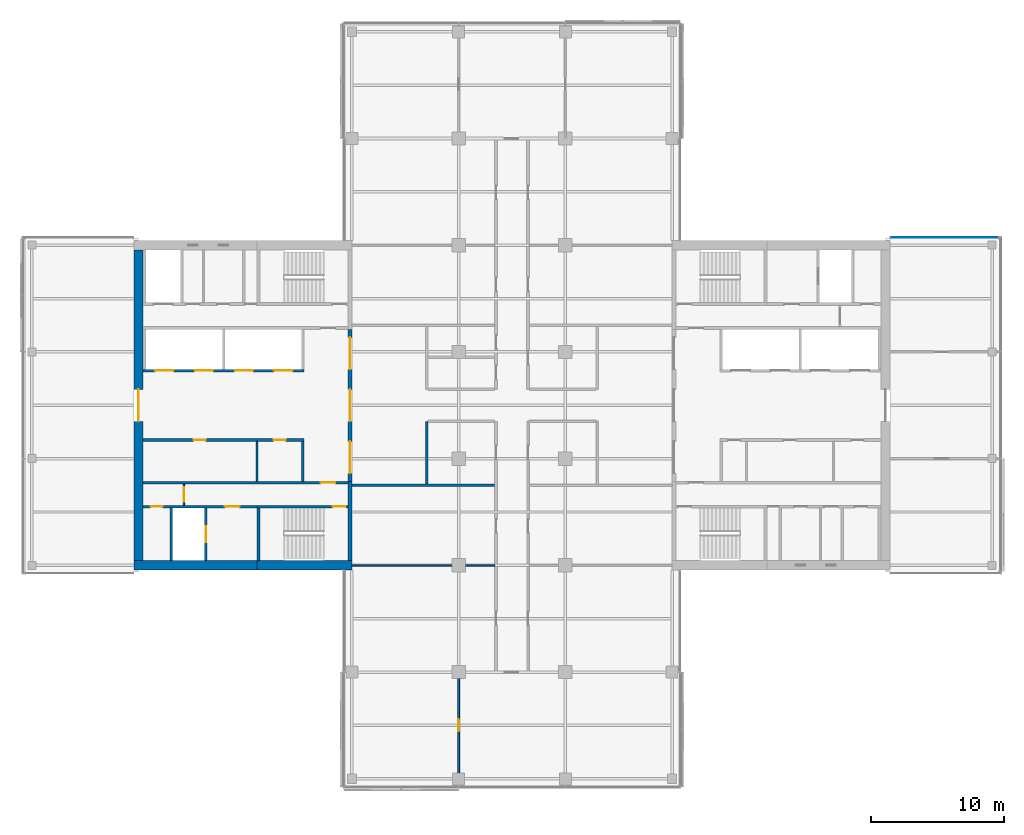
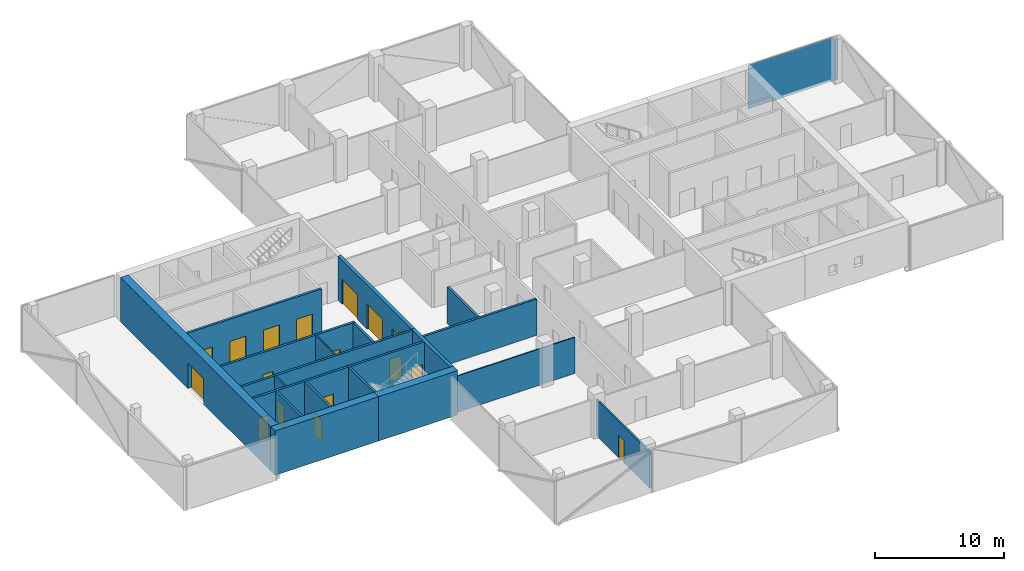
# One storey, part 13 of 22: 20 walls, 17 doors, 1 plate, 17 openings, 1 element without a shape of its own.
"""IFC4 building model written with IfcOpenShell, lengths in metres."""

from ifc_helpers import new_model, si_unit, direction, frame, frame_2d, origin, place, context, subcontext, project, spatial, polyline, rectangle, outline, extrude, material, layer, layer_set, constituent, constituent_set, type_object, element, fill, aggregate, save


model = new_model("IFC4")

# Units and contexts
model_context = context("Model", 3, precision=1e-05, world=origin(), true_north=direction((0.0, 1.0)))
body_context = subcontext(model_context, "Body", "Model", "MODEL_VIEW")
ifc_project = project(units=[si_unit("LENGTHUNIT", "METRE"), si_unit("AREAUNIT", "SQUARE_METRE"), si_unit("VOLUMEUNIT", "CUBIC_METRE"), si_unit("PLANEANGLEUNIT", "RADIAN"), si_unit("MASSUNIT", "GRAM", prefix="KILO")], contexts=[model_context])

# Site, building, storey
site_placement = place(None, origin())
site = spatial("IfcSite", under=ifc_project, at=site_placement, CompositionType="ELEMENT")
building_placement = place(site_placement, origin())
building = spatial("IfcBuilding", under=site, at=building_placement, Name="Crosswind Convention Tower", CompositionType="ELEMENT")
storey_placement = place(building_placement, frame((0.0, 0.0, 137.89990234375)))
storey = spatial("IfcBuildingStorey", under=building, at=storey_placement, Name="L28", CompositionType="ELEMENT", Elevation=137.89990234375)

# Curtain wall, plate
ifc_material_1 = material(Name="Aluminium unitised curtain wall", Category="aluminium")
curtain_wall_type = type_object("IfcCurtainWallType", Name="CORE END SLOT WALL 160", PredefinedType="USERDEFINED", material=ifc_material_1)
curtain_wall_placement = place(storey_placement, origin())
curtain_wall = element("IfcCurtainWall", 1, at=curtain_wall_placement, inside=storey, type_object=curtain_wall_type, Name="CW6 L28 E-N.1-1 slot", ObjectType="UNITISED", PredefinedType="USERDEFINED")
ifc_material_2 = material(Name="Laminated insulating glass unit", Category="glass")
ifc_layer_1 = layer(ifc_material_2, 0.02587890625)
ifc_layer_set_1 = layer_set([ifc_layer_1], Name="TRIANGULAR GLASS PANEL 26")
plate_type = type_object("IfcPlateType", Name="TRIANGULAR GLASS PANEL 26", PredefinedType="CURTAIN_PANEL", material=ifc_layer_set_1)
plate_placement = place(storey_placement, frame((161.449951171875, 112.60693359375, -0.2998046875), z_axis=(0.0, 0.999999915205, 0.00041181312), x_axis=(-1.0, 0.0, 0.0)))
plate = element("IfcPlate", 2, at=plate_placement, type_object=plate_type, Name="CW6 panel 1.1", PredefinedType="CURTAIN_PANEL", context=body_context, shape_type="SweptSolid", body=[
    extrude(outline(polyline([(0.0, 0.0), (8.050048828125, 0.0), (8.050048828125, 4.149902695641108), (0.0, 4.149902695641108), (0.0, 0.0)])), origin(), (0.0, 0.0, -1.0), 0.02587890625),
])
aggregate(curtain_wall, [plate])

# Walls
ifc_material_3 = material(Name="Concrete blockwork", Category="masonry")
ifc_layer_2 = layer(ifc_material_3, 0.199951171875)
ifc_layer_set_2 = layer_set([ifc_layer_2], Name="COMPARTMENT WALL 200 BLOCKWORK")
wall_type_1 = type_object("IfcWallType", Name="COMPARTMENT WALL 200 BLOCKWORK", PredefinedType="SOLIDWALL", material=ifc_layer_set_2)
wall_1_placement = place(storey_placement, frame((118.60009765625, 94.10009765625, 0.0), z_axis=(0.0, 0.0, 1.0), x_axis=(0.0, 1.0, 0.0)))
element("IfcWall", 3, at=wall_1_placement, inside=storey, type_object=wall_type_1, Name="Compartment wall WT42", PredefinedType="SOLIDWALL", context=body_context, shape_type="SweptSolid", body=[
    extrude(rectangle(XDim=4.699951171875, YDim=0.199951171875, at=frame_2d((2.35009765625, 0.0))), origin(), (0.0, 0.0, 1.0), 3.4365234375),
])
wall_2_placement = place(storey_placement, frame((113.0, 94.0, 0.0), z_axis=(0.0, 0.0, 1.0), x_axis=(1.0, 0.0, 0.0)))
element("IfcWall", 4, at=wall_2_placement, inside=storey, type_object=wall_type_1, Name="Compartment wall WT42", PredefinedType="SOLIDWALL", context=body_context, shape_type="SweptSolid", body=[
    extrude(rectangle(XDim=10.699951171875, YDim=0.199951171875, at=frame_2d((5.35009765625, 0.0))), origin(), (0.0, 0.0, 1.0), 3.4365234375),
])

# Wall, opening, door
ifc_material_4 = material(Name="Concrete C60/75", Category="concrete")
ifc_layer_3 = layer(ifc_material_4, 0.699951171875)
ifc_layer_set_3 = layer_set([ifc_layer_3], Name="Concrete C60/75")
wall_type_2 = type_object("IfcWallType", Name="Concrete core wall 700", PredefinedType="SHEAR", material=ifc_layer_set_3)
wall_3_placement = place(storey_placement, frame((97.0, 111.64990234375, 0.0), z_axis=(0.0, 0.0, 1.0), x_axis=(0.0, -1.0, 0.0)))
wall_3 = element("IfcWall", 5, at=wall_3_placement, inside=storey, type_object=wall_type_2, Name="Wall O W L28", PredefinedType="SHEAR", context=body_context, shape_type="SweptSolid", body=[
    extrude(rectangle(XDim=23.2998046875, YDim=0.699951171875, at=frame_2d((11.64990234375, 0.0))), origin(), (0.0, 0.0, 1.0), 4.2001953125),
])
opening_1_placement = place(wall_3_placement, frame((10.449951171875, 0.0, 0.0)))
opening_1 = element("IfcOpeningElement", 6, at=opening_1_placement, cuts=wall_3, Name="Opening D100", PredefinedType="OPENING", context=body_context, shape_type="SweptSolid", body=[
    extrude(rectangle(XDim=2.39990234375, YDim=2.39990234375, at=frame_2d((1.199951171875, 1.199951171875))), frame((0.0, 0.35986328125, 0.0), z_axis=(0.0, -1.0, 0.0), x_axis=(1.0, 0.0, 0.0)), (0.0, 0.0, 1.0), 0.719970703125),
])
ifc_material_5 = material(Name="Steel fire door with glazed vision panels", Category="steel")
door_type_1 = type_object("IfcDoorType", Name="Fire-rated double door 2400x2400", OperationType="DOUBLE_DOOR_SINGLE_SWING", PredefinedType="DOOR", material=ifc_material_5)
door_1_placement = place(opening_1_placement, frame((2.39990234375, 0.0, 0.0), z_axis=(0.0, 0.0, 1.0), x_axis=(-1.0, 0.0, 0.0)))
door_1 = element("IfcDoor", 7, at=door_1_placement, inside=storey, type_object=door_type_1, Name="Lobby outer door L28", ObjectType="D100", OperationType="DOUBLE_DOOR_SINGLE_SWING", OverallHeight=2.39990234375, OverallWidth=2.39990234375, PredefinedType="DOOR", context=body_context, shape_type="SweptSolid", body=[
    extrude(rectangle(XDim=2.39990234375, YDim=2.39990234375, at=frame_2d((1.199951171875, 1.199951171875))), frame((0.0, 0.02490234375, 0.0), z_axis=(0.0, -1.0, 0.0), x_axis=(1.0, 0.0, 0.0)), (0.0, 0.0, 1.0), 0.050048828125),
])
fill(opening_1, door_1)

# Wall, openings, doors
ifc_material_6 = material(Name="Concrete C50/60", Category="concrete")
ifc_layer_4 = layer(ifc_material_6, 0.300048828125)
ifc_layer_set_4 = layer_set([ifc_layer_4], Name="Concrete C50/60")
wall_type_3 = type_object("IfcWallType", Name="Concrete inner core wall 300", PredefinedType="SHEAR", material=ifc_layer_set_4)
wall_4_placement = place(storey_placement, frame((112.85009765625, 105.699951171875, 0.0), z_axis=(0.0, 0.0, 1.0), x_axis=(0.0, -1.0, 0.0)))
wall_4 = element("IfcWall", 8, at=wall_4_placement, inside=storey, type_object=wall_type_3, Name="Wall SCR W L28", PredefinedType="SHEAR", context=body_context, shape_type="SweptSolid", body=[
    extrude(rectangle(XDim=11.39990234375, YDim=0.300048828125, at=frame_2d((5.699951171875, 0.0))), origin(), (0.0, 0.0, 1.0), 4.2001953125),
])
opening_2_placement = place(wall_4_placement, frame((0.60009765625, 0.0, 0.0)))
opening_2 = element("IfcOpeningElement", 9, at=opening_2_placement, cuts=wall_4, Name="Opening D100", PredefinedType="OPENING", context=body_context, shape_type="SweptSolid", body=[
    extrude(rectangle(XDim=2.39990234375, YDim=2.39990234375, at=frame_2d((1.199951171875, 1.199951171875))), frame((0.0, 0.159912109375, 0.0), z_axis=(0.0, -1.0, 0.0), x_axis=(1.0, 0.0, 0.0)), (0.0, 0.0, 1.0), 0.320068359375),
])
opening_3_placement = place(wall_4_placement, frame((4.5, 0.0, 0.0)))
opening_3 = element("IfcOpeningElement", 10, at=opening_3_placement, cuts=wall_4, Name="Opening D100", PredefinedType="OPENING", context=body_context, shape_type="SweptSolid", body=[
    extrude(rectangle(XDim=2.39990234375, YDim=2.39990234375, at=frame_2d((1.199951171875, 1.199951171875))), frame((0.0, 0.159912109375, 0.0), z_axis=(0.0, -1.0, 0.0), x_axis=(1.0, 0.0, 0.0)), (0.0, 0.0, 1.0), 0.320068359375),
])
opening_4_placement = place(wall_4_placement, frame((8.39990234375, 0.0, 0.0)))
opening_4 = element("IfcOpeningElement", 11, at=opening_4_placement, cuts=wall_4, Name="Opening D100", PredefinedType="OPENING", context=body_context, shape_type="SweptSolid", body=[
    extrude(rectangle(XDim=2.39990234375, YDim=2.39990234375, at=frame_2d((1.199951171875, 1.199951171875))), frame((0.0, 0.159912109375, 0.0), z_axis=(0.0, -1.0, 0.0), x_axis=(1.0, 0.0, 0.0)), (0.0, 0.0, 1.0), 0.320068359375),
])
door_2_placement = place(opening_2_placement, origin())
door_2 = element("IfcDoor", 12, at=door_2_placement, inside=storey, type_object=door_type_1, Name="Lobby door 1 L28", ObjectType="D100", OperationType="DOUBLE_DOOR_SINGLE_SWING", OverallHeight=2.39990234375, OverallWidth=2.39990234375, PredefinedType="DOOR", context=body_context, shape_type="SweptSolid", body=[
    extrude(rectangle(XDim=2.39990234375, YDim=2.39990234375, at=frame_2d((1.199951171875, 1.199951171875))), frame((0.0, 0.02490234375, 0.0), z_axis=(0.0, -1.0, 0.0), x_axis=(1.0, 0.0, 0.0)), (0.0, 0.0, 1.0), 0.050048828125),
])
fill(opening_2, door_2)
door_3_placement = place(opening_3_placement, origin())
door_3 = element("IfcDoor", 13, at=door_3_placement, inside=storey, type_object=door_type_1, Name="Lobby door 2 L28", ObjectType="D100", OperationType="DOUBLE_DOOR_SINGLE_SWING", OverallHeight=2.39990234375, OverallWidth=2.39990234375, PredefinedType="DOOR", context=body_context, shape_type="SweptSolid", body=[
    extrude(rectangle(XDim=2.39990234375, YDim=2.39990234375, at=frame_2d((1.199951171875, 1.199951171875))), frame((0.0, 0.02490234375, 0.0), z_axis=(0.0, -1.0, 0.0), x_axis=(1.0, 0.0, 0.0)), (0.0, 0.0, 1.0), 0.050048828125),
])
fill(opening_3, door_3)
door_4_placement = place(opening_4_placement, origin())
door_4 = element("IfcDoor", 14, at=door_4_placement, inside=storey, type_object=door_type_1, Name="Lobby door 3 L28", ObjectType="D100", OperationType="DOUBLE_DOOR_SINGLE_SWING", OverallHeight=2.39990234375, OverallWidth=2.39990234375, PredefinedType="DOOR", context=body_context, shape_type="SweptSolid", body=[
    extrude(rectangle(XDim=2.39990234375, YDim=2.39990234375, at=frame_2d((1.199951171875, 1.199951171875))), frame((0.0, 0.02490234375, 0.0), z_axis=(0.0, -1.0, 0.0), x_axis=(1.0, 0.0, 0.0)), (0.0, 0.0, 1.0), 0.050048828125),
])
fill(opening_4, door_4)

# Walls
wall_5_placement = place(storey_placement, frame((112.85009765625, 94.300048828125, 0.0), z_axis=(0.0, 0.0, 1.0), x_axis=(0.0, -1.0, 0.0)))
element("IfcWall", 15, at=wall_5_placement, inside=storey, type_object=wall_type_3, Name="Wall EP W L28", PredefinedType="SHEAR", context=body_context, shape_type="SweptSolid", body=[
    extrude(rectangle(XDim=5.949951171875, YDim=0.300048828125, at=frame_2d((2.97509765625, 0.0))), origin(), (0.0, 0.0, 1.0), 4.2001953125),
])
ifc_layer_5 = layer(ifc_material_6, 0.199951171875)
ifc_layer_set_5 = layer_set([ifc_layer_5], Name="Concrete C50/60")
wall_type_4 = type_object("IfcWallType", Name="Concrete shaft and stair wall 200", PredefinedType="SHEAR", material=ifc_layer_set_5)
wall_6_placement = place(storey_placement, frame((109.300048828125, 97.300048828125, 0.0), z_axis=(0.0, 0.0, 1.0), x_axis=(0.0, -1.0, 0.0)))
element("IfcWall", 16, at=wall_6_placement, inside=storey, type_object=wall_type_4, Name="Wall RPEND W L28", PredefinedType="SHEAR", context=body_context, shape_type="SweptSolid", body=[
    extrude(rectangle(XDim=3.0, YDim=0.199951171875, at=frame_2d((1.5, 0.0))), origin(), (0.0, 0.0, 1.0), 4.2001953125),
])

# Wall, openings, doors
wall_7_placement = place(storey_placement, frame((109.39990234375, 97.39990234375, 0.0), z_axis=(0.0, 0.0, 1.0), x_axis=(-1.0, 0.0, 0.0)))
wall_7 = element("IfcWall", 17, at=wall_7_placement, inside=storey, type_object=wall_type_4, Name="Wall RPFRONT W L28", PredefinedType="SHEAR", context=body_context, shape_type="SweptSolid", body=[
    extrude(rectangle(XDim=12.0498046875, YDim=0.199951171875, at=frame_2d((6.02490234375, 0.0))), origin(), (0.0, 0.0, 1.0), 4.2001953125),
])
opening_5_placement = place(wall_7_placement, frame((1.377685546875, 0.0, 0.0)))
opening_5 = element("IfcOpeningElement", 18, at=opening_5_placement, cuts=wall_7, Name="Opening D106", PredefinedType="OPENING", context=body_context, shape_type="SweptSolid", body=[
    extrude(rectangle(XDim=0.89990234375, YDim=2.10009765625, at=frame_2d((0.449951171875, 1.050048828125))), frame((0.0, 0.10986328125, 0.0), z_axis=(0.0, -1.0, 0.0), x_axis=(1.0, 0.0, 0.0)), (0.0, 0.0, 1.0), 0.219970703125),
])
opening_6_placement = place(wall_7_placement, frame((7.365234375, 0.0, 0.0)))
opening_6 = element("IfcOpeningElement", 19, at=opening_6_placement, cuts=wall_7, Name="Opening D106", PredefinedType="OPENING", context=body_context, shape_type="SweptSolid", body=[
    extrude(rectangle(XDim=0.89990234375, YDim=2.10009765625, at=frame_2d((0.449951171875, 1.050048828125))), frame((0.0, 0.10986328125, 0.0), z_axis=(0.0, -1.0, 0.0), x_axis=(1.0, 0.0, 0.0)), (0.0, 0.0, 1.0), 0.219970703125),
])
ifc_material_7 = material(Name="Timber door", Category="wood")
door_type_2 = type_object("IfcDoorType", Name="Single leaf door 900x2100", OperationType="NOTDEFINED", PredefinedType="DOOR", material=ifc_material_7)
door_5_placement = place(opening_5_placement, origin())
door_5 = element("IfcDoor", 20, at=door_5_placement, inside=storey, type_object=door_type_2, Name="Door to tenant services room L28", ObjectType="D106", OperationType="SINGLE_SWING_RIGHT", OverallHeight=2.10009765625, OverallWidth=0.89990234375, PredefinedType="DOOR", context=body_context, shape_type="SweptSolid", body=[
    extrude(rectangle(XDim=0.89990234375, YDim=2.10009765625, at=frame_2d((0.449951171875, 1.050048828125))), frame((0.0, 0.02490234375, 0.0), z_axis=(0.0, -1.0, 0.0), x_axis=(1.0, 0.0, 0.0)), (0.0, 0.0, 1.0), 0.050048828125),
])
fill(opening_5, door_5)
door_6_placement = place(opening_6_placement, origin())
door_6 = element("IfcDoor", 21, at=door_6_placement, inside=storey, type_object=door_type_2, Name="Door to copy and print room L28", ObjectType="D106", OperationType="SINGLE_SWING_RIGHT", OverallHeight=2.10009765625, OverallWidth=0.89990234375, PredefinedType="DOOR", context=body_context, shape_type="SweptSolid", body=[
    extrude(rectangle(XDim=0.89990234375, YDim=2.10009765625, at=frame_2d((0.449951171875, 1.050048828125))), frame((0.0, 0.02490234375, 0.0), z_axis=(0.0, -1.0, 0.0), x_axis=(1.0, 0.0, 0.0)), (0.0, 0.0, 1.0), 0.050048828125),
])
fill(opening_6, door_6)

wall_8_placement = place(storey_placement, frame((109.39990234375, 102.60009765625, 0.0), z_axis=(0.0, 0.0, 1.0), x_axis=(-1.0, 0.0, 0.0)))
wall_8 = element("IfcWall", 22, at=wall_8_placement, inside=storey, type_object=wall_type_4, Name="Wall RMFRONT W L28", PredefinedType="SHEAR", context=body_context, shape_type="SweptSolid", body=[
    extrude(rectangle(XDim=12.0498046875, YDim=0.199951171875, at=frame_2d((6.02490234375, 0.0))), origin(), (0.0, 0.0, 1.0), 4.2001953125),
])
opening_7_placement = place(wall_8_placement, frame((0.85009765625, 0.0, 0.0)))
opening_7 = element("IfcOpeningElement", 23, at=opening_7_placement, cuts=wall_8, Name="Opening LD2", PredefinedType="OPENING", context=body_context, shape_type="SweptSolid", body=[
    extrude(rectangle(XDim=1.39990234375, YDim=2.10009765625, at=frame_2d((0.699951171875, 1.050048828125))), frame((0.0, 0.10986328125, 0.0), z_axis=(0.0, -1.0, 0.0), x_axis=(1.0, 0.0, 0.0)), (0.0, 0.0, 1.0), 0.219970703125),
])
opening_8_placement = place(wall_8_placement, frame((3.800048828125, 0.0, 0.0)))
opening_8 = element("IfcOpeningElement", 24, at=opening_8_placement, cuts=wall_8, Name="Opening LD2", PredefinedType="OPENING", context=body_context, shape_type="SweptSolid", body=[
    extrude(rectangle(XDim=1.39990234375, YDim=2.10009765625, at=frame_2d((0.699951171875, 1.050048828125))), frame((0.0, 0.10986328125, 0.0), z_axis=(0.0, -1.0, 0.0), x_axis=(1.0, 0.0, 0.0)), (0.0, 0.0, 1.0), 0.219970703125),
])
opening_9_placement = place(wall_8_placement, frame((6.800048828125, 0.0, 0.0)))
opening_9 = element("IfcOpeningElement", 25, at=opening_9_placement, cuts=wall_8, Name="Opening LD2", PredefinedType="OPENING", context=body_context, shape_type="SweptSolid", body=[
    extrude(rectangle(XDim=1.39990234375, YDim=2.10009765625, at=frame_2d((0.699951171875, 1.050048828125))), frame((0.0, 0.10986328125, 0.0), z_axis=(0.0, -1.0, 0.0), x_axis=(1.0, 0.0, 0.0)), (0.0, 0.0, 1.0), 0.219970703125),
])
opening_10_placement = place(wall_8_placement, frame((9.77490234375, 0.0, 0.0)))
opening_10 = element("IfcOpeningElement", 26, at=opening_10_placement, cuts=wall_8, Name="Opening LD2", PredefinedType="OPENING", context=body_context, shape_type="SweptSolid", body=[
    extrude(rectangle(XDim=1.39990234375, YDim=2.10009765625, at=frame_2d((0.699951171875, 1.050048828125))), frame((0.0, 0.10986328125, 0.0), z_axis=(0.0, -1.0, 0.0), x_axis=(1.0, 0.0, 0.0)), (0.0, 0.0, 1.0), 0.219970703125),
])
ifc_material_8 = material(Name="Stainless steel", Category="steel")
door_type_3 = type_object("IfcDoorType", Name="Lift landing door 1400x2100", OperationType="DOUBLE_DOOR_SLIDING", PredefinedType="DOOR", material=ifc_material_8)
door_7_placement = place(opening_7_placement, origin())
door_7 = element("IfcDoor", 27, at=door_7_placement, inside=storey, type_object=door_type_3, Name="Landing door A5 L28", ObjectType="LD2", OperationType="DOUBLE_DOOR_SLIDING", OverallHeight=2.10009765625, OverallWidth=1.39990234375, PredefinedType="DOOR", context=body_context, shape_type="SweptSolid", body=[
    extrude(rectangle(XDim=1.39990234375, YDim=2.10009765625, at=frame_2d((0.699951171875, 1.050048828125))), frame((0.0, 0.02490234375, 0.0), z_axis=(0.0, -1.0, 0.0), x_axis=(1.0, 0.0, 0.0)), (0.0, 0.0, 1.0), 0.050048828125),
])
fill(opening_7, door_7)
door_8_placement = place(opening_8_placement, origin())
door_8 = element("IfcDoor", 28, at=door_8_placement, inside=storey, type_object=door_type_3, Name="Landing door A6 L28", ObjectType="LD2", OperationType="DOUBLE_DOOR_SLIDING", OverallHeight=2.10009765625, OverallWidth=1.39990234375, PredefinedType="DOOR", context=body_context, shape_type="SweptSolid", body=[
    extrude(rectangle(XDim=1.39990234375, YDim=2.10009765625, at=frame_2d((0.699951171875, 1.050048828125))), frame((0.0, 0.02490234375, 0.0), z_axis=(0.0, -1.0, 0.0), x_axis=(1.0, 0.0, 0.0)), (0.0, 0.0, 1.0), 0.050048828125),
])
fill(opening_8, door_8)
door_9_placement = place(opening_9_placement, origin())
door_9 = element("IfcDoor", 29, at=door_9_placement, inside=storey, type_object=door_type_3, Name="Landing door A7 L28", ObjectType="LD2", OperationType="DOUBLE_DOOR_SLIDING", OverallHeight=2.10009765625, OverallWidth=1.39990234375, PredefinedType="DOOR", context=body_context, shape_type="SweptSolid", body=[
    extrude(rectangle(XDim=1.39990234375, YDim=2.10009765625, at=frame_2d((0.699951171875, 1.050048828125))), frame((0.0, 0.02490234375, 0.0), z_axis=(0.0, -1.0, 0.0), x_axis=(1.0, 0.0, 0.0)), (0.0, 0.0, 1.0), 0.050048828125),
])
fill(opening_9, door_9)
door_10_placement = place(opening_10_placement, origin())
door_10 = element("IfcDoor", 30, at=door_10_placement, inside=storey, type_object=door_type_3, Name="Landing door A8 L28", ObjectType="LD2", OperationType="DOUBLE_DOOR_SLIDING", OverallHeight=2.10009765625, OverallWidth=1.39990234375, PredefinedType="DOOR", context=body_context, shape_type="SweptSolid", body=[
    extrude(rectangle(XDim=1.39990234375, YDim=2.10009765625, at=frame_2d((0.699951171875, 1.050048828125))), frame((0.0, 0.02490234375, 0.0), z_axis=(0.0, -1.0, 0.0), x_axis=(1.0, 0.0, 0.0)), (0.0, 0.0, 1.0), 0.050048828125),
])
fill(opening_10, door_10)

# Wall, opening, door
wall_9_placement = place(storey_placement, frame((112.699951171875, 94.199951171875, 0.0), z_axis=(0.0, 0.0, 1.0), x_axis=(-1.0, 0.0, 0.0)))
wall_9 = element("IfcWall", 31, at=wall_9_placement, inside=storey, type_object=wall_type_4, Name="Wall HP W L28", PredefinedType="SHEAR", context=body_context, shape_type="SweptSolid", body=[
    extrude(rectangle(XDim=15.349853515625, YDim=0.199951171875, at=frame_2d((7.6748046875, 0.0))), origin(), (0.0, 0.0, 1.0), 4.2001953125),
])
opening_11_placement = place(wall_9_placement, frame((0.949951171875, 0.0, 0.0)))
opening_11 = element("IfcOpeningElement", 32, at=opening_11_placement, cuts=wall_9, Name="Opening D104", PredefinedType="OPENING", context=body_context, shape_type="SweptSolid", body=[
    extrude(rectangle(XDim=1.10009765625, YDim=2.10009765625, at=frame_2d((0.550048828125, 1.050048828125))), frame((0.0, 0.10986328125, 0.0), z_axis=(0.0, -1.0, 0.0), x_axis=(1.0, 0.0, 0.0)), (0.0, 0.0, 1.0), 0.219970703125),
])
ifc_material_9 = material(Name="Steel fire door", Category="steel")
door_type_4 = type_object("IfcDoorType", Name="Fire-rated single door 1100x2100", OperationType="NOTDEFINED", PredefinedType="DOOR", material=ifc_material_9)
door_11_placement = place(opening_11_placement, origin())
door_11 = element("IfcDoor", 33, at=door_11_placement, inside=storey, type_object=door_type_4, Name="Corridor door L28", ObjectType="D104", OperationType="SINGLE_SWING_LEFT", OverallHeight=2.10009765625, OverallWidth=1.10009765625, PredefinedType="DOOR", context=body_context, shape_type="SweptSolid", body=[
    extrude(rectangle(XDim=1.10009765625, YDim=2.10009765625, at=frame_2d((0.550048828125, 1.050048828125))), frame((0.0, 0.02490234375, 0.0), z_axis=(0.0, -1.0, 0.0), x_axis=(1.0, 0.0, 0.0)), (0.0, 0.0, 1.0), 0.050048828125),
])
fill(opening_11, door_11)

# Wall
wall_10_placement = place(storey_placement, frame((106.0, 92.300048828125, 0.0), z_axis=(0.0, 0.0, 1.0), x_axis=(0.0, -1.0, 0.0)))
element("IfcWall", 34, at=wall_10_placement, inside=storey, type_object=wall_type_4, Name="Wall PSE W L28", PredefinedType="SHEAR", context=body_context, shape_type="SweptSolid", body=[
    extrude(rectangle(XDim=3.949951171875, YDim=0.199951171875, at=frame_2d((1.97509765625, 0.0))), origin(), (0.0, 0.0, 1.0), 4.2001953125),
])

# Wall, opening, door
wall_11_placement = place(storey_placement, frame((102.050048828125, 92.300048828125, 0.0), z_axis=(0.0, 0.0, 1.0), x_axis=(0.0, -1.0, 0.0)))
wall_11 = element("IfcWall", 35, at=wall_11_placement, inside=storey, type_object=wall_type_4, Name="Wall PFLW W L28", PredefinedType="SHEAR", context=body_context, shape_type="SweptSolid", body=[
    extrude(rectangle(XDim=3.949951171875, YDim=0.199951171875, at=frame_2d((1.97509765625, 0.0))), origin(), (0.0, 0.0, 1.0), 4.2001953125),
])
opening_12_placement = place(wall_11_placement, frame((1.375, 0.0, 0.0)))
opening_12 = element("IfcOpeningElement", 36, at=opening_12_placement, cuts=wall_11, Name="Opening LD1", PredefinedType="OPENING", context=body_context, shape_type="SweptSolid", body=[
    extrude(rectangle(XDim=1.199951171875, YDim=2.10009765625, at=frame_2d((0.60009765625, 1.050048828125))), frame((0.0, 0.10986328125, 0.0), z_axis=(0.0, -1.0, 0.0), x_axis=(1.0, 0.0, 0.0)), (0.0, 0.0, 1.0), 0.219970703125),
])
door_type_5 = type_object("IfcDoorType", Name="Lift landing door 1200x2100", OperationType="DOUBLE_DOOR_SLIDING", PredefinedType="DOOR", material=ifc_material_8)
door_12_placement = place(opening_12_placement, origin())
door_12 = element("IfcDoor", 37, at=door_12_placement, inside=storey, type_object=door_type_5, Name="Landing door FF2 L28", ObjectType="LD1", OperationType="DOUBLE_DOOR_SLIDING", OverallHeight=2.10009765625, OverallWidth=1.199951171875, PredefinedType="DOOR", context=body_context, shape_type="SweptSolid", body=[
    extrude(rectangle(XDim=1.199951171875, YDim=2.10009765625, at=frame_2d((0.60009765625, 1.050048828125))), frame((0.0, 0.02490234375, 0.0), z_axis=(0.0, -1.0, 0.0), x_axis=(1.0, 0.0, 0.0)), (0.0, 0.0, 1.0), 0.050048828125),
])
fill(opening_12, door_12)

# Wall
wall_12_placement = place(storey_placement, frame((99.449951171875, 92.300048828125, 0.0), z_axis=(0.0, 0.0, 1.0), x_axis=(0.0, -1.0, 0.0)))
element("IfcWall", 38, at=wall_12_placement, inside=storey, type_object=wall_type_4, Name="Wall PFSE W L28", PredefinedType="SHEAR", context=body_context, shape_type="SweptSolid", body=[
    extrude(rectangle(XDim=3.949951171875, YDim=0.199951171875, at=frame_2d((1.97509765625, 0.0))), origin(), (0.0, 0.0, 1.0), 4.2001953125),
])

# Wall, opening, door
wall_13_placement = place(storey_placement, frame((112.699951171875, 92.39990234375, 0.0), z_axis=(0.0, 0.0, 1.0), x_axis=(-1.0, 0.0, 0.0)))
wall_13 = element("IfcWall", 39, at=wall_13_placement, inside=storey, type_object=wall_type_4, Name="Wall PCW W L28", PredefinedType="SHEAR", context=body_context, shape_type="SweptSolid", body=[
    extrude(rectangle(XDim=6.800048828125, YDim=0.199951171875, at=frame_2d((3.39990234375, 0.0))), origin(), (0.0, 0.0, 1.0), 4.2001953125),
])
opening_13_placement = place(wall_13_placement, frame((0.14990234375, 0.0, 0.0)))
opening_13 = element("IfcOpeningElement", 40, at=opening_13_placement, cuts=wall_13, Name="Opening D103", PredefinedType="OPENING", context=body_context, shape_type="SweptSolid", body=[
    extrude(rectangle(XDim=1.0, YDim=2.10009765625, at=frame_2d((0.5, 1.050048828125))), frame((0.0, 0.10986328125, 0.0), z_axis=(0.0, -1.0, 0.0), x_axis=(1.0, 0.0, 0.0)), (0.0, 0.0, 1.0), 0.219970703125),
])
door_type_6 = type_object("IfcDoorType", Name="Fire-rated single door 1000x2100", OperationType="NOTDEFINED", PredefinedType="DOOR", material=ifc_material_9)
door_13_placement = place(opening_13_placement, origin())
door_13 = element("IfcDoor", 41, at=door_13_placement, inside=storey, type_object=door_type_6, Name="Stair ST3 door L28", ObjectType="D103", OperationType="SINGLE_SWING_LEFT", OverallHeight=2.10009765625, OverallWidth=1.0, PredefinedType="DOOR", context=body_context, shape_type="SweptSolid", body=[
    extrude(rectangle(XDim=1.0, YDim=2.10009765625, at=frame_2d((0.5, 1.050048828125))), frame((0.0, 0.02490234375, 0.0), z_axis=(0.0, -1.0, 0.0), x_axis=(1.0, 0.0, 0.0)), (0.0, 0.0, 1.0), 0.050048828125),
])
fill(opening_13, door_13)

# Wall, openings, doors
wall_14_placement = place(storey_placement, frame((105.89990234375, 92.39990234375, 0.0), z_axis=(0.0, 0.0, 1.0), x_axis=(-1.0, 0.0, 0.0)))
wall_14 = element("IfcWall", 42, at=wall_14_placement, inside=storey, type_object=wall_type_4, Name="Wall PCX W L28", PredefinedType="SHEAR", context=body_context, shape_type="SweptSolid", body=[
    extrude(rectangle(XDim=8.5498046875, YDim=0.199951171875, at=frame_2d((4.27490234375, 0.0))), origin(), (0.0, 0.0, 1.0), 4.2001953125),
])
opening_14_placement = place(wall_14_placement, frame((1.324951171875, 0.0, 0.0)))
opening_14 = element("IfcOpeningElement", 43, at=opening_14_placement, cuts=wall_14, Name="Opening D104", PredefinedType="OPENING", context=body_context, shape_type="SweptSolid", body=[
    extrude(rectangle(XDim=1.10009765625, YDim=2.10009765625, at=frame_2d((0.550048828125, 1.050048828125))), frame((0.0, 0.10986328125, 0.0), z_axis=(0.0, -1.0, 0.0), x_axis=(1.0, 0.0, 0.0)), (0.0, 0.0, 1.0), 0.219970703125),
])
opening_15_placement = place(wall_14_placement, frame((7.10009765625, 0.0, 0.0)))
opening_15 = element("IfcOpeningElement", 44, at=opening_15_placement, cuts=wall_14, Name="Opening D106", PredefinedType="OPENING", context=body_context, shape_type="SweptSolid", body=[
    extrude(rectangle(XDim=0.89990234375, YDim=2.10009765625, at=frame_2d((0.449951171875, 1.050048828125))), frame((0.0, 0.10986328125, 0.0), z_axis=(0.0, -1.0, 0.0), x_axis=(1.0, 0.0, 0.0)), (0.0, 0.0, 1.0), 0.219970703125),
])
door_14_placement = place(opening_14_placement, origin())
door_14 = element("IfcDoor", 45, at=door_14_placement, inside=storey, type_object=door_type_4, Name="Fire-fighting lobby FF2 door L28", ObjectType="D104", OperationType="SINGLE_SWING_RIGHT", OverallHeight=2.10009765625, OverallWidth=1.10009765625, PredefinedType="DOOR", context=body_context, shape_type="SweptSolid", body=[
    extrude(rectangle(XDim=1.10009765625, YDim=2.10009765625, at=frame_2d((0.550048828125, 1.050048828125))), frame((0.0, 0.02490234375, 0.0), z_axis=(0.0, -1.0, 0.0), x_axis=(1.0, 0.0, 0.0)), (0.0, 0.0, 1.0), 0.050048828125),
])
fill(opening_14, door_14)
door_15_placement = place(opening_15_placement, origin())
door_15 = element("IfcDoor", 46, at=door_15_placement, inside=storey, type_object=door_type_2, Name="Door to telecoms room L28", ObjectType="D106", OperationType="SINGLE_SWING_RIGHT", OverallHeight=2.10009765625, OverallWidth=0.89990234375, PredefinedType="DOOR", context=body_context, shape_type="SweptSolid", body=[
    extrude(rectangle(XDim=0.89990234375, YDim=2.10009765625, at=frame_2d((0.449951171875, 1.050048828125))), frame((0.0, 0.02490234375, 0.0), z_axis=(0.0, -1.0, 0.0), x_axis=(1.0, 0.0, 0.0)), (0.0, 0.0, 1.0), 0.050048828125),
])
fill(opening_15, door_15)

# Wall
ifc_material_10 = material(Name="Gypsum plasterboard partition", Category="gypsum")
ifc_layer_6 = layer(ifc_material_10, 0.125)
ifc_layer_set_6 = layer_set([ifc_layer_6], Name="Drywall partition wall 125")
wall_type_5 = type_object("IfcWallType", Name="Drywall partition wall 125", PredefinedType="PARTITIONING", material=ifc_layer_set_6)
wall_15_placement = place(storey_placement, frame((105.882080078125, 97.300048828125, 0.0), z_axis=(0.0, 0.0, 1.0), x_axis=(0.0, -1.0, 0.0)))
element("IfcWall", 47, at=wall_15_placement, inside=storey, type_object=wall_type_5, Name="Wall RPP1 W L28", PredefinedType="PARTITIONING", context=body_context, shape_type="SweptSolid", body=[
    extrude(rectangle(XDim=3.0, YDim=0.125, at=frame_2d((1.5, 0.0))), origin(), (0.0, 0.0, 1.0), 4.2001953125),
])

# Wall, opening, door
wall_16_placement = place(storey_placement, frame((100.39990234375, 94.10009765625, 0.0), z_axis=(0.0, 0.0, 1.0), x_axis=(0.0, -1.0, 0.0)))
wall_16 = element("IfcWall", 48, at=wall_16_placement, inside=storey, type_object=wall_type_5, Name="Wall PXC1 W L28", PredefinedType="PARTITIONING", context=body_context, shape_type="SweptSolid", body=[
    extrude(rectangle(XDim=1.60009765625, YDim=0.125, at=frame_2d((0.800048828125, 0.0))), origin(), (0.0, 0.0, 1.0), 4.2001953125),
])
opening_16_placement = place(wall_16_placement, frame((0.25, 0.0, 0.0)))
opening_16 = element("IfcOpeningElement", 49, at=opening_16_placement, cuts=wall_16, Name="Opening D104", PredefinedType="OPENING", context=body_context, shape_type="SweptSolid", body=[
    extrude(rectangle(XDim=1.10009765625, YDim=2.10009765625, at=frame_2d((0.550048828125, 1.050048828125))), frame((0.0, 0.072509765625, 0.0), z_axis=(0.0, -1.0, 0.0), x_axis=(1.0, 0.0, 0.0)), (0.0, 0.0, 1.0), 0.14501953125),
])
door_16_placement = place(opening_16_placement, origin())
door_16 = element("IfcDoor", 50, at=door_16_placement, inside=storey, type_object=door_type_4, Name="Corridor smoke door L28", ObjectType="D104", OperationType="SINGLE_SWING_RIGHT", OverallHeight=2.10009765625, OverallWidth=1.10009765625, PredefinedType="DOOR", context=body_context, shape_type="SweptSolid", body=[
    extrude(rectangle(XDim=1.10009765625, YDim=2.10009765625, at=frame_2d((0.550048828125, 1.050048828125))), frame((0.0, 0.02490234375, 0.0), z_axis=(0.0, -1.0, 0.0), x_axis=(1.0, 0.0, 0.0)), (0.0, 0.0, 1.0), 0.050048828125),
])
fill(opening_16, door_16)

# Wall
ifc_material_11 = material(Name="Plasterboard partition", Category="gypsum")
ifc_layer_7 = layer(ifc_material_11, 0.10009765625)
ifc_layer_set_7 = layer_set([ifc_layer_7], Name="PARTITION 100 METAL STUD")
wall_type_6 = type_object("IfcWallType", Name="PARTITION 100 METAL STUD", PredefinedType="PARTITIONING", material=ifc_layer_set_7)
wall_17_placement = place(storey_placement, frame((113.0, 88.0, 0.0), z_axis=(0.0, 0.0, 1.0), x_axis=(1.0, 0.0, 0.0)))
element("IfcWall", 51, at=wall_17_placement, inside=storey, type_object=wall_type_6, Name="Partition wall WT40", PredefinedType="PARTITIONING", context=body_context, shape_type="SweptSolid", body=[
    extrude(rectangle(XDim=10.699951171875, YDim=0.10009765625, at=frame_2d((5.35009765625, 0.0))), origin(), (0.0, 0.0, 1.0), 3.4365234375),
])

# Wall, opening, door
ifc_material_12 = material(Name="Fire-board partition with mineral wool", Category="gypsum")
ifc_layer_8 = layer(ifc_material_12, 0.14990234375)
ifc_layer_set_8 = layer_set([ifc_layer_8], Name="TENANCY WALL 150 TWO-HOUR BOARD")
wall_type_7 = type_object("IfcWallType", Name="TENANCY WALL 150 TWO-HOUR BOARD", PredefinedType="PARTITIONING", material=ifc_layer_set_8)
wall_18_placement = place(storey_placement, frame((121.0, 71.580078125, 0.0), z_axis=(0.0, 0.0, 1.0), x_axis=(0.0, 1.0, 0.0)))
wall_18 = element("IfcWall", 52, at=wall_18_placement, inside=storey, type_object=wall_type_7, Name="Tenancy wall WT41", PredefinedType="PARTITIONING", context=body_context, shape_type="SweptSolid", body=[
    extrude(rectangle(XDim=8.344970703125, YDim=0.14990234375, at=frame_2d((4.17236328125, 0.0))), origin(), (0.0, 0.0, 1.0), 3.4365234375),
])
opening_17_placement = place(wall_18_placement, frame((3.969970703125, 0.0, 0.0)))
opening_17 = element("IfcOpeningElement", 53, at=opening_17_placement, cuts=wall_18, Name="Opening L28-67", PredefinedType="OPENING", context=body_context, shape_type="SweptSolid", body=[
    extrude(rectangle(XDim=0.89990234375, YDim=2.10009765625, at=frame_2d((0.449951171875, 1.050048828125))), frame((0.0, 0.0849609375, 0.0), z_axis=(0.0, -1.0, 0.0), x_axis=(1.0, 0.0, 0.0)), (0.0, 0.0, 1.0), 0.169921875),
])
door_type_7 = type_object("IfcDoorType", Name="INTERNAL DOOR 900X2100", OperationType="NOTDEFINED", PredefinedType="DOOR", material=ifc_material_7)
door_17_placement = place(opening_17_placement, origin())
door_17 = element("IfcDoor", 54, at=door_17_placement, inside=storey, type_object=door_type_7, Name="Door L28-67", ObjectType="D40", OperationType="SINGLE_SWING_RIGHT", OverallHeight=2.10009765625, OverallWidth=0.89990234375, PredefinedType="DOOR", context=body_context, shape_type="SweptSolid", body=[
    extrude(rectangle(XDim=0.89990234375, YDim=2.10009765625, at=frame_2d((0.449951171875, 1.050048828125))), frame((0.0, 0.02490234375, 0.0), z_axis=(0.0, -1.0, 0.0), x_axis=(1.0, 0.0, 0.0)), (0.0, 0.0, 1.0), 0.050048828125),
])
fill(opening_17, door_17)

# Walls
ifc_constituent_1 = constituent(ifc_material_4, Name="Structure")
ifc_material_13 = material(Name="Terracotta rainscreen", Category="ceramic")
ifc_constituent_2 = constituent(ifc_material_13, Name="Facing")
ifc_constituent_set = constituent_set(constituents=[ifc_constituent_1, ifc_constituent_2], Name="Concrete C60/75, Terracotta rainscreen")
wall_type_8 = type_object("IfcWallType", Name="Terracotta rainscreen on concrete core wall 700", PredefinedType="SHEAR", material=ifc_constituent_set)
wall_19_placement = place(storey_placement, frame((113.0, 88.0, 0.0), z_axis=(0.0, 0.0, 1.0), x_axis=(-1.0, 0.0, 0.0)))
element("IfcWall", 55, at=wall_19_placement, inside=storey, type_object=wall_type_8, Name="Wall N1 W L28", PredefinedType="SHEAR", context=body_context, shape_type="SweptSolid", body=[
    extrude(rectangle(XDim=7.10009765625, YDim=0.699951171875, at=frame_2d((3.550048828125, 0.0))), origin(), (0.0, 0.0, 1.0), 4.2001953125),
])
wall_20_placement = place(storey_placement, frame((105.89990234375, 88.0, 0.0), z_axis=(0.0, 0.0, 1.0), x_axis=(-1.0, 0.0, 0.0)))
element("IfcWall", 56, at=wall_20_placement, inside=storey, type_object=wall_type_8, Name="Wall N2 W L28", PredefinedType="SHEAR", context=body_context, shape_type="SweptSolid", body=[
    extrude(rectangle(XDim=9.25, YDim=0.699951171875, at=frame_2d((4.625, 0.0))), origin(), (0.0, 0.0, 1.0), 4.2001953125),
])

save(model, "model.ifc")
